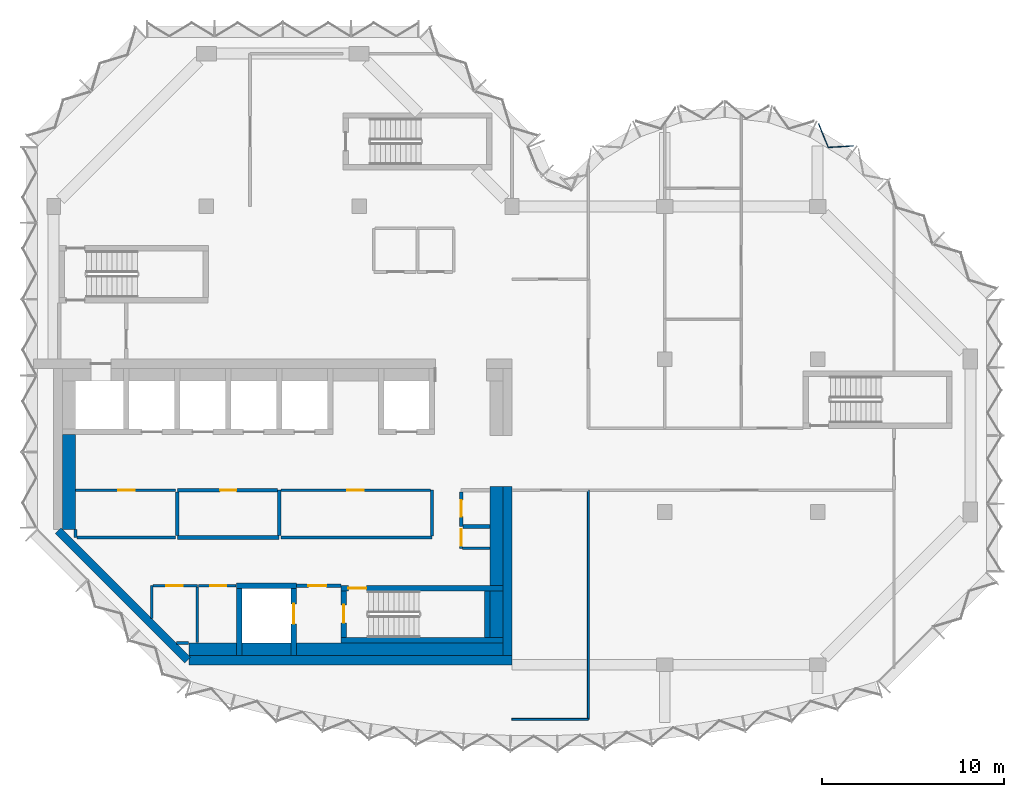
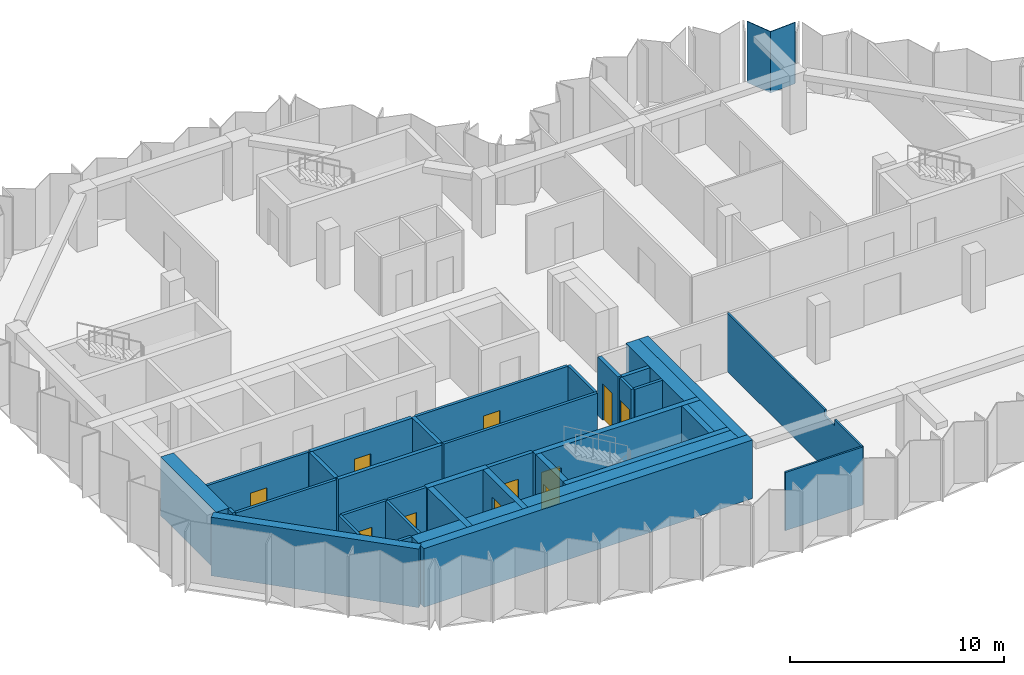
# One storey, part 4 of 9: 38 walls, 11 doors, 1 plate, 11 openings, 1 element without a shape of its own.
"""IFC4 building model written with IfcOpenShell, lengths in metres."""

from ifc_helpers import new_model, si_unit, direction, frame, frame_2d, origin, place, context, subcontext, project, spatial, polyline, rectangle, outline, extrude, material, layer, layer_set, type_object, element, fill, aggregate, save


model = new_model("IFC4")

# Units and contexts
model_context = context("Model", 3, precision=1e-05, world=origin(), true_north=direction((0.0, 1.0)))
body_context = subcontext(model_context, "Body", "Model", "MODEL_VIEW")
ifc_project = project(units=[si_unit("LENGTHUNIT", "METRE"), si_unit("AREAUNIT", "SQUARE_METRE"), si_unit("VOLUMEUNIT", "CUBIC_METRE"), si_unit("PLANEANGLEUNIT", "RADIAN"), si_unit("MASSUNIT", "GRAM", prefix="KILO")], contexts=[model_context])

# Site, building, storey
site_placement = place(None, origin())
site = spatial("IfcSite", under=ifc_project, at=site_placement, CompositionType="ELEMENT")
building_placement = place(site_placement, origin())
building = spatial("IfcBuilding", under=site, at=building_placement, Name="Brevane Broadcast Tower", CompositionType="ELEMENT")
storey_placement = place(building_placement, frame((0.0, 0.0, 244.5)))
storey = spatial("IfcBuildingStorey", under=building, at=storey_placement, Name="L62", CompositionType="ELEMENT", Elevation=244.5)

# Curtain wall, plate
ifc_material_1 = material(Name="Aluminium 6063-T6 bronze anodised", Category="aluminium")
curtain_wall_type = type_object("IfcCurtainWallType", Name="CW-1 curtain wall", PredefinedType="NOTDEFINED", material=ifc_material_1)
curtain_wall_placement = place(storey_placement, origin())
curtain_wall = element("IfcCurtainWall", 1, at=curtain_wall_placement, inside=storey, type_object=curtain_wall_type, Name="CW-1 typical tilted unit L62 east bow", PredefinedType="NOTDEFINED")
ifc_material_2 = material(Name="Laminated glass bronze-tinted", Category="glass")
ifc_layer_1 = layer(ifc_material_2, 0.0400390625)
ifc_layer_set_1 = layer_set([ifc_layer_1], Name="CW tall glass panel 40")
plate_type = type_object("IfcPlateType", Name="CW tall glass panel 40", PredefinedType="CURTAIN_PANEL", material=ifc_layer_set_1)
plate_placement = place(storey_placement, frame((0.0, 0.0, -0.14990234375)))
plate = element("IfcPlate", 2, at=plate_placement, type_object=plate_type, Name="CW-1 glass panel", PredefinedType="CURTAIN_PANEL", context=body_context, shape_type="SweptSolid", body=[
    extrude(outline(polyline([(43.950439453125, 28.5087890625), (43.9833984375, 28.551025390625), (42.601318359375, 28.462890625), (42.0703125, 29.76171875), (42.046875, 29.712890625), (42.5751953125, 28.42138671875), (43.950439453125, 28.5087890625)])), origin(), (0.0, 0.0, 1.0), 3.5),
])
aggregate(curtain_wall, [plate])

# Walls
ifc_material_3 = material(Name="Concrete C32/40", Category="concrete")
ifc_layer_2 = layer(ifc_material_3, 0.699951171875)
ifc_layer_set_2 = layer_set([ifc_layer_2], Name="Core chase wall 700 mm")
wall_type_1 = type_object("IfcWallType", Name="Core chase wall 700 mm", PredefinedType="PARTITIONING", material=ifc_layer_set_2)
wall_1_placement = place(storey_placement, frame((0.85009765625, 7.436279296875, 0.0), z_axis=(0.0, 0.0, 1.0), x_axis=(0.0, 1.0, 0.0)))
element("IfcWall", 3, at=wall_1_placement, inside=storey, type_object=wall_type_1, Name="L62 chase wall LW-1", PredefinedType="PARTITIONING", context=body_context, shape_type="SweptSolid", body=[
    extrude(rectangle(XDim=5.213623046875, YDim=0.699951171875, at=frame_2d((2.60693359375, 0.0))), origin(), (0.0, 0.0, 1.0), 3.35009765625),
])
wall_2_placement = place(storey_placement, frame((7.436279296875, 0.85009765625, 0.0), z_axis=(0.0, 0.0, 1.0), x_axis=(1.0, 0.0, 0.0)))
element("IfcWall", 4, at=wall_2_placement, inside=storey, type_object=wall_type_1, Name="L62 chase wall LS-1", PredefinedType="PARTITIONING", context=body_context, shape_type="SweptSolid", body=[
    extrude(rectangle(XDim=2.61376953125, YDim=0.699951171875, at=frame_2d((1.306884765625, 0.0))), origin(), (0.0, 0.0, 1.0), 3.35009765625),
])
wall_3_placement = place(storey_placement, frame((10.35009765625, 0.85009765625, 0.0), z_axis=(0.0, 0.0, 1.0), x_axis=(1.0, 0.0, 0.0)))
element("IfcWall", 5, at=wall_3_placement, inside=storey, type_object=wall_type_1, Name="L62 chase wall LS-2-1", PredefinedType="PARTITIONING", context=body_context, shape_type="SweptSolid", body=[
    extrude(rectangle(XDim=2.699951171875, YDim=0.699951171875, at=frame_2d((1.35009765625, 0.0))), origin(), (0.0, 0.0, 1.0), 3.35009765625),
])
wall_4_placement = place(storey_placement, frame((13.35009765625, 0.85009765625, 0.0), z_axis=(0.0, 0.0, 1.0), x_axis=(1.0, 0.0, 0.0)))
element("IfcWall", 6, at=wall_4_placement, inside=storey, type_object=wall_type_1, Name="L62 chase wall LS-2-2", PredefinedType="PARTITIONING", context=body_context, shape_type="SweptSolid", body=[
    extrude(rectangle(XDim=11.349853515625, YDim=0.699951171875, at=frame_2d((5.6748046875, 0.0))), origin(), (0.0, 0.0, 1.0), 3.35009765625),
])
wall_5_placement = place(storey_placement, frame((24.35009765625, 1.5, 0.0), z_axis=(0.0, 0.0, 1.0), x_axis=(0.0, 1.0, 0.0)))
element("IfcWall", 7, at=wall_5_placement, inside=storey, type_object=wall_type_1, Name="L62 chase wall LE1-2-1", PredefinedType="PARTITIONING", context=body_context, shape_type="SweptSolid", body=[
    extrude(rectangle(XDim=2.550048828125, YDim=0.699951171875, at=frame_2d((1.27490234375, 0.0))), origin(), (0.0, 0.0, 1.0), 3.35009765625),
])
wall_6_placement = place(storey_placement, frame((24.35009765625, 4.35009765625, 0.0), z_axis=(0.0, 0.0, 1.0), x_axis=(0.0, 1.0, 0.0)))
element("IfcWall", 8, at=wall_6_placement, inside=storey, type_object=wall_type_1, Name="L62 chase wall LE1-2-2", PredefinedType="PARTITIONING", context=body_context, shape_type="SweptSolid", body=[
    extrude(rectangle(XDim=5.449951171875, YDim=0.699951171875, at=frame_2d((2.72509765625, 0.0))), origin(), (0.0, 0.0, 1.0), 3.35009765625),
])
ifc_material_4 = material(Name="Gypsum board on steel studs", Category="steel")
ifc_layer_3 = layer(ifc_material_4, 0.14990234375)
ifc_layer_set_3 = layer_set([ifc_layer_3], Name="Core fire partition 150 mm")
wall_type_2 = type_object("IfcWallType", Name="Core fire partition 150 mm", PredefinedType="PARTITIONING", material=ifc_layer_set_3)
wall_7_placement = place(storey_placement, frame((5.39990234375, 2.553466796875, 0.0), z_axis=(0.0, 0.0, 1.0), x_axis=(0.0, 1.0, 0.0)))
element("IfcWall", 9, at=wall_7_placement, inside=storey, type_object=wall_type_2, Name="L62 partition wall P11", PredefinedType="PARTITIONING", context=body_context, shape_type="SweptSolid", body=[
    extrude(rectangle(XDim=1.796630859375, YDim=0.14990234375, at=frame_2d((0.8984375, 0.0))), origin(), (0.0, 0.0, 1.0), 3.35009765625),
])

# Wall, opening, door
wall_8_placement = place(storey_placement, frame((5.47509765625, 4.35009765625, 0.0), z_axis=(0.0, 0.0, 1.0), x_axis=(1.0, 0.0, 0.0)))
wall_8 = element("IfcWall", 10, at=wall_8_placement, inside=storey, type_object=wall_type_2, Name="L62 partition wall P12", PredefinedType="PARTITIONING", context=body_context, shape_type="SweptSolid", body=[
    extrude(rectangle(XDim=2.4248046875, YDim=0.14990234375, at=frame_2d((1.21240234375, 0.0))), origin(), (0.0, 0.0, 1.0), 3.35009765625),
])
opening_1_placement = place(wall_8_placement, frame((0.72509765625, 0.0, 0.0)))
opening_1 = element("IfcOpeningElement", 11, at=opening_1_placement, cuts=wall_8, Name="Opening L62-K14", PredefinedType="OPENING", context=body_context, shape_type="SweptSolid", body=[
    extrude(rectangle(XDim=0.89990234375, YDim=2.10009765625, at=frame_2d((0.449951171875, 1.050048828125))), frame((0.0, 0.0849609375, 0.0), z_axis=(0.0, -1.0, 0.0), x_axis=(1.0, 0.0, 0.0)), (0.0, 0.0, 1.0), 0.169921875),
])
ifc_material_5 = material(Name="Timber", Category="wood")
door_type_1 = type_object("IfcDoorType", Name="Toilet door 900 x 2100", OperationType="SINGLE_SWING_LEFT", PredefinedType="DOOR", material=ifc_material_5)
door_1_placement = place(opening_1_placement, origin())
door_1 = element("IfcDoor", 12, at=door_1_placement, inside=storey, type_object=door_type_1, Name="Door L62-K14", OperationType="SINGLE_SWING_RIGHT", OverallHeight=2.10009765625, OverallWidth=0.89990234375, PredefinedType="DOOR", context=body_context, shape_type="SweptSolid", body=[
    extrude(rectangle(XDim=0.89990234375, YDim=2.10009765625, at=frame_2d((0.449951171875, 1.050048828125))), frame((0.0, 0.02490234375, 0.0), z_axis=(0.0, -1.0, 0.0), x_axis=(1.0, 0.0, 0.0)), (0.0, 0.0, 1.0), 0.050048828125),
])
fill(opening_1, door_1)

# Walls
wall_9_placement = place(storey_placement, frame((7.89990234375, 4.27490234375, 0.0), z_axis=(0.0, 0.0, 1.0), x_axis=(0.0, -1.0, 0.0)))
element("IfcWall", 13, at=wall_9_placement, inside=storey, type_object=wall_type_2, Name="L62 partition wall P13", PredefinedType="PARTITIONING", context=body_context, shape_type="SweptSolid", body=[
    extrude(rectangle(XDim=3.06298828125, YDim=0.14990234375, at=frame_2d((1.531494140625, 0.0))), origin(), (0.0, 0.0, 1.0), 3.35009765625),
])
wall_10_placement = place(storey_placement, frame((7.42431640625, 1.199951171875, 0.0), z_axis=(0.0, 0.0, 1.0), x_axis=(-1.0, 0.0, 0.0)))
element("IfcWall", 14, at=wall_10_placement, inside=storey, type_object=wall_type_2, Name="L62 partition wall P14", PredefinedType="PARTITIONING", context=body_context, shape_type="SweptSolid", body=[
    extrude(rectangle(XDim=0.6708984375, YDim=0.14990234375, at=frame_2d((0.33544921875, 0.0))), origin(), (0.0, 0.0, 1.0), 3.35009765625),
])

# Wall, opening, door
wall_11_placement = place(storey_placement, frame((6.699951171875, 9.60009765625, 0.0), z_axis=(0.0, 0.0, 1.0), x_axis=(-1.0, 0.0, 0.0)))
wall_11 = element("IfcWall", 15, at=wall_11_placement, inside=storey, type_object=wall_type_2, Name="L62 partition wall P15", PredefinedType="PARTITIONING", context=body_context, shape_type="SweptSolid", body=[
    extrude(rectangle(XDim=5.488037109375, YDim=0.14990234375, at=frame_2d((2.744140625, 0.0))), origin(), (0.0, 0.0, 1.0), 3.35009765625),
])
opening_2_placement = place(wall_11_placement, frame((2.25, 0.0, 0.0)))
opening_2 = element("IfcOpeningElement", 16, at=opening_2_placement, cuts=wall_11, Name="Opening L62-K19", PredefinedType="OPENING", context=body_context, shape_type="SweptSolid", body=[
    extrude(rectangle(XDim=0.89990234375, YDim=2.10009765625, at=frame_2d((0.449951171875, 1.050048828125))), frame((0.0, 0.0849609375, 0.0), z_axis=(0.0, -1.0, 0.0), x_axis=(1.0, 0.0, 0.0)), (0.0, 0.0, 1.0), 0.169921875),
])
ifc_material_6 = material(Name="Steel", Category="steel")
door_type_2 = type_object("IfcDoorType", Name="Service room door 900 x 2100", OperationType="SINGLE_SWING_LEFT", PredefinedType="DOOR", material=ifc_material_6)
door_2_placement = place(opening_2_placement, origin())
door_2 = element("IfcDoor", 17, at=door_2_placement, inside=storey, type_object=door_type_2, Name="Door L62-K19", OperationType="SINGLE_SWING_LEFT", OverallHeight=2.10009765625, OverallWidth=0.89990234375, PredefinedType="DOOR", context=body_context, shape_type="SweptSolid", body=[
    extrude(rectangle(XDim=0.89990234375, YDim=2.10009765625, at=frame_2d((0.449951171875, 1.050048828125))), frame((0.0, 0.02490234375, 0.0), z_axis=(0.0, -1.0, 0.0), x_axis=(1.0, 0.0, 0.0)), (0.0, 0.0, 1.0), 0.050048828125),
])
fill(opening_2, door_2)

# Walls
wall_12_placement = place(storey_placement, frame((1.199951171875, 7.42431640625, 0.0), z_axis=(0.0, 0.0, 1.0), x_axis=(0.0, -1.0, 0.0)))
element("IfcWall", 18, at=wall_12_placement, inside=storey, type_object=wall_type_2, Name="L62 partition wall P16", PredefinedType="PARTITIONING", context=body_context, shape_type="SweptSolid", body=[
    extrude(rectangle(XDim=0.42431640625, YDim=0.14990234375, at=frame_2d((0.212158203125, 0.0))), origin(), (0.0, 0.0, 1.0), 3.35009765625),
])
wall_13_placement = place(storey_placement, frame((1.27490234375, 7.0, 0.0), z_axis=(0.0, 0.0, 1.0), x_axis=(1.0, 0.0, 0.0)))
element("IfcWall", 19, at=wall_13_placement, inside=storey, type_object=wall_type_2, Name="L62 partition wall P17", PredefinedType="PARTITIONING", context=body_context, shape_type="SweptSolid", body=[
    extrude(rectangle(XDim=5.425048828125, YDim=0.14990234375, at=frame_2d((2.71240234375, 0.0))), origin(), (0.0, 0.0, 1.0), 3.35009765625),
])

# Wall, opening, door
wall_14_placement = place(storey_placement, frame((10.0380859375, 4.35009765625, 0.0), z_axis=(0.0, 0.0, 1.0), x_axis=(-1.0, 0.0, 0.0)))
wall_14 = element("IfcWall", 20, at=wall_14_placement, inside=storey, type_object=wall_type_2, Name="L62 partition wall P18", PredefinedType="PARTITIONING", context=body_context, shape_type="SweptSolid", body=[
    extrude(rectangle(XDim=2.06298828125, YDim=0.14990234375, at=frame_2d((1.031494140625, 0.0))), origin(), (0.0, 0.0, 1.0), 3.35009765625),
])
opening_3_placement = place(wall_14_placement, frame((0.5380859375, 0.0, 0.0)))
opening_3 = element("IfcOpeningElement", 21, at=opening_3_placement, cuts=wall_14, Name="Opening L62-K15", PredefinedType="OPENING", context=body_context, shape_type="SweptSolid", body=[
    extrude(rectangle(XDim=0.89990234375, YDim=2.10009765625, at=frame_2d((0.449951171875, 1.050048828125))), frame((0.0, 0.0849609375, 0.0), z_axis=(0.0, -1.0, 0.0), x_axis=(1.0, 0.0, 0.0)), (0.0, 0.0, 1.0), 0.169921875),
])
door_3_placement = place(opening_3_placement, origin())
door_3 = element("IfcDoor", 22, at=door_3_placement, inside=storey, type_object=door_type_1, Name="Door L62-K15", OperationType="SINGLE_SWING_LEFT", OverallHeight=2.10009765625, OverallWidth=0.89990234375, PredefinedType="DOOR", context=body_context, shape_type="SweptSolid", body=[
    extrude(rectangle(XDim=0.89990234375, YDim=2.10009765625, at=frame_2d((0.449951171875, 1.050048828125))), frame((0.0, 0.02490234375, 0.0), z_axis=(0.0, -1.0, 0.0), x_axis=(1.0, 0.0, 0.0)), (0.0, 0.0, 1.0), 0.050048828125),
])
fill(opening_3, door_3)

# Walls
wall_15_placement = place(storey_placement, frame((12.5, 7.0, 0.0), z_axis=(0.0, 0.0, 1.0), x_axis=(1.0, 0.0, 0.0)))
element("IfcWall", 23, at=wall_15_placement, inside=storey, type_object=wall_type_2, Name="L62 partition wall P19", PredefinedType="PARTITIONING", context=body_context, shape_type="SweptSolid", body=[
    extrude(rectangle(XDim=8.300048828125, YDim=0.14990234375, at=frame_2d((4.14990234375, 0.0))), origin(), (0.0, 0.0, 1.0), 3.35009765625),
])
wall_16_placement = place(storey_placement, frame((20.800048828125, 7.074951171875, 0.0), z_axis=(0.0, 0.0, 1.0), x_axis=(0.0, 1.0, 0.0)))
element("IfcWall", 24, at=wall_16_placement, inside=storey, type_object=wall_type_2, Name="L62 partition wall P20", PredefinedType="PARTITIONING", context=body_context, shape_type="SweptSolid", body=[
    extrude(rectangle(XDim=2.525146484375, YDim=0.14990234375, at=frame_2d((1.2626953125, 0.0))), origin(), (0.0, 0.0, 1.0), 3.35009765625),
])

# Wall, opening, door
wall_17_placement = place(storey_placement, frame((20.72509765625, 9.60009765625, 0.0), z_axis=(0.0, 0.0, 1.0), x_axis=(-1.0, 0.0, 0.0)))
wall_17 = element("IfcWall", 25, at=wall_17_placement, inside=storey, type_object=wall_type_2, Name="L62 partition wall P21", PredefinedType="PARTITIONING", context=body_context, shape_type="SweptSolid", body=[
    extrude(rectangle(XDim=8.22509765625, YDim=0.14990234375, at=frame_2d((4.112548828125, 0.0))), origin(), (0.0, 0.0, 1.0), 3.35009765625),
])
opening_4_placement = place(wall_17_placement, frame((3.675048828125, 0.0, 0.0)))
opening_4 = element("IfcOpeningElement", 26, at=opening_4_placement, cuts=wall_17, Name="Opening L62-K21", PredefinedType="OPENING", context=body_context, shape_type="SweptSolid", body=[
    extrude(rectangle(XDim=0.89990234375, YDim=2.10009765625, at=frame_2d((0.449951171875, 1.050048828125))), frame((0.0, 0.0849609375, 0.0), z_axis=(0.0, -1.0, 0.0), x_axis=(1.0, 0.0, 0.0)), (0.0, 0.0, 1.0), 0.169921875),
])
door_4_placement = place(opening_4_placement, origin())
door_4 = element("IfcDoor", 27, at=door_4_placement, inside=storey, type_object=door_type_2, Name="Door L62-K21", OperationType="SINGLE_SWING_LEFT", OverallHeight=2.10009765625, OverallWidth=0.89990234375, PredefinedType="DOOR", context=body_context, shape_type="SweptSolid", body=[
    extrude(rectangle(XDim=0.89990234375, YDim=2.10009765625, at=frame_2d((0.449951171875, 1.050048828125))), frame((0.0, 0.02490234375, 0.0), z_axis=(0.0, -1.0, 0.0), x_axis=(1.0, 0.0, 0.0)), (0.0, 0.0, 1.0), 0.050048828125),
])
fill(opening_4, door_4)

wall_18_placement = place(storey_placement, frame((22.39990234375, 7.5, 0.0), z_axis=(0.0, 0.0, 1.0), x_axis=(0.0, -1.0, 0.0)))
wall_18 = element("IfcWall", 28, at=wall_18_placement, inside=storey, type_object=wall_type_2, Name="L62 partition wall P29", PredefinedType="PARTITIONING", context=body_context, shape_type="SweptSolid", body=[
    extrude(rectangle(XDim=1.10009765625, YDim=0.14990234375, at=frame_2d((0.550048828125, 0.0))), origin(), (0.0, 0.0, 1.0), 3.35009765625),
])
opening_5_placement = place(wall_18_placement, frame((0.050048828125, 0.0, 0.0)))
opening_5 = element("IfcOpeningElement", 29, at=opening_5_placement, cuts=wall_18, Name="Opening L62-K17", PredefinedType="OPENING", context=body_context, shape_type="SweptSolid", body=[
    extrude(rectangle(XDim=0.89990234375, YDim=2.10009765625, at=frame_2d((0.449951171875, 1.050048828125))), frame((0.0, 0.0849609375, 0.0), z_axis=(0.0, -1.0, 0.0), x_axis=(1.0, 0.0, 0.0)), (0.0, 0.0, 1.0), 0.169921875),
])
door_5_placement = place(opening_5_placement, origin())
door_5 = element("IfcDoor", 30, at=door_5_placement, inside=storey, type_object=door_type_2, Name="Door L62-K17", OperationType="SINGLE_SWING_LEFT", OverallHeight=2.10009765625, OverallWidth=0.89990234375, PredefinedType="DOOR", context=body_context, shape_type="SweptSolid", body=[
    extrude(rectangle(XDim=0.89990234375, YDim=2.10009765625, at=frame_2d((0.449951171875, 1.050048828125))), frame((0.0, 0.02490234375, 0.0), z_axis=(0.0, -1.0, 0.0), x_axis=(1.0, 0.0, 0.0)), (0.0, 0.0, 1.0), 0.050048828125),
])
fill(opening_5, door_5)

# Wall
wall_19_placement = place(storey_placement, frame((22.47509765625, 6.39990234375, 0.0), z_axis=(0.0, 0.0, 1.0), x_axis=(1.0, 0.0, 0.0)))
element("IfcWall", 31, at=wall_19_placement, inside=storey, type_object=wall_type_2, Name="L62 partition wall P30", PredefinedType="PARTITIONING", context=body_context, shape_type="SweptSolid", body=[
    extrude(rectangle(XDim=1.512939453125, YDim=0.14990234375, at=frame_2d((0.75634765625, 0.0))), origin(), (0.0, 0.0, 1.0), 3.35009765625),
])

# Wall, opening, door
ifc_layer_4 = layer(ifc_material_4, 0.199951171875)
ifc_layer_set_4 = layer_set([ifc_layer_4], Name="Core fire partition 200 mm")
wall_type_3 = type_object("IfcWallType", Name="Core fire partition 200 mm", PredefinedType="PARTITIONING", material=ifc_layer_set_4)
wall_20_placement = place(storey_placement, frame((13.362060546875, 4.35009765625, 0.0), z_axis=(0.0, 0.0, 1.0), x_axis=(1.0, 0.0, 0.0)))
wall_20 = element("IfcWall", 32, at=wall_20_placement, inside=storey, type_object=wall_type_3, Name="L62 partition wall P03", PredefinedType="PARTITIONING", context=body_context, shape_type="SweptSolid", body=[
    extrude(rectangle(XDim=2.426025390625, YDim=0.199951171875, at=frame_2d((1.212890625, 0.0))), origin(), (0.0, 0.0, 1.0), 3.35009765625),
])
opening_6_placement = place(wall_20_placement, frame((0.637939453125, 0.0, 0.0)))
opening_6 = element("IfcOpeningElement", 33, at=opening_6_placement, cuts=wall_20, Name="Opening L62-K16", PredefinedType="OPENING", context=body_context, shape_type="SweptSolid", body=[
    extrude(rectangle(XDim=1.0, YDim=2.10009765625, at=frame_2d((0.5, 1.050048828125))), frame((0.0, 0.10986328125, 0.0), z_axis=(0.0, -1.0, 0.0), x_axis=(1.0, 0.0, 0.0)), (0.0, 0.0, 1.0), 0.219970703125),
])
door_type_3 = type_object("IfcDoorType", Name="Stair door 1000 x 2100", OperationType="SINGLE_SWING_LEFT", PredefinedType="DOOR", material=ifc_material_6)
door_6_placement = place(opening_6_placement, origin())
door_6 = element("IfcDoor", 34, at=door_6_placement, inside=storey, type_object=door_type_3, Name="Door L62-K16", OperationType="SINGLE_SWING_RIGHT", OverallHeight=2.10009765625, OverallWidth=1.0, PredefinedType="DOOR", context=body_context, shape_type="SweptSolid", body=[
    extrude(rectangle(XDim=1.0, YDim=2.10009765625, at=frame_2d((0.5, 1.050048828125))), frame((0.0, 0.02490234375, 0.0), z_axis=(0.0, -1.0, 0.0), x_axis=(1.0, 0.0, 0.0)), (0.0, 0.0, 1.0), 0.050048828125),
])
fill(opening_6, door_6)

wall_21_placement = place(storey_placement, frame((22.39990234375, 9.5, 0.0), z_axis=(0.0, 0.0, 1.0), x_axis=(0.0, -1.0, 0.0)))
wall_21 = element("IfcWall", 35, at=wall_21_placement, inside=storey, type_object=wall_type_3, Name="L62 partition wall P05", PredefinedType="PARTITIONING", context=body_context, shape_type="SweptSolid", body=[
    extrude(rectangle(XDim=1.89990234375, YDim=0.199951171875, at=frame_2d((0.949951171875, 0.0))), origin(), (0.0, 0.0, 1.0), 3.35009765625),
])
opening_7_placement = place(wall_21_placement, frame((0.449951171875, 0.0, 0.0)))
opening_7 = element("IfcOpeningElement", 36, at=opening_7_placement, cuts=wall_21, Name="Opening L62-K18", PredefinedType="OPENING", context=body_context, shape_type="SweptSolid", body=[
    extrude(rectangle(XDim=0.89990234375, YDim=2.10009765625, at=frame_2d((0.449951171875, 1.050048828125))), frame((0.0, 0.10986328125, 0.0), z_axis=(0.0, -1.0, 0.0), x_axis=(1.0, 0.0, 0.0)), (0.0, 0.0, 1.0), 0.219970703125),
])
door_7_placement = place(opening_7_placement, origin())
door_7 = element("IfcDoor", 37, at=door_7_placement, inside=storey, type_object=door_type_2, Name="Door L62-K18", OperationType="SINGLE_SWING_RIGHT", OverallHeight=2.10009765625, OverallWidth=0.89990234375, PredefinedType="DOOR", context=body_context, shape_type="SweptSolid", body=[
    extrude(rectangle(XDim=0.89990234375, YDim=2.10009765625, at=frame_2d((0.449951171875, 1.050048828125))), frame((0.0, 0.02490234375, 0.0), z_axis=(0.0, -1.0, 0.0), x_axis=(1.0, 0.0, 0.0)), (0.0, 0.0, 1.0), 0.050048828125),
])
fill(opening_7, door_7)

# Walls
wall_22_placement = place(storey_placement, frame((22.5, 7.60009765625, 0.0), z_axis=(0.0, 0.0, 1.0), x_axis=(1.0, 0.0, 0.0)))
element("IfcWall", 38, at=wall_22_placement, inside=storey, type_object=wall_type_3, Name="L62 partition wall P06", PredefinedType="PARTITIONING", context=body_context, shape_type="SweptSolid", body=[
    extrude(rectangle(XDim=1.488037109375, YDim=0.199951171875, at=frame_2d((0.744140625, 0.0))), origin(), (0.0, 0.0, 1.0), 3.35009765625),
])
wall_23_placement = place(storey_placement, frame((6.800048828125, 7.0, 0.0), z_axis=(0.0, 0.0, 1.0), x_axis=(1.0, 0.0, 0.0)))
element("IfcWall", 39, at=wall_23_placement, inside=storey, type_object=wall_type_3, Name="L62 partition wall P07", PredefinedType="PARTITIONING", context=body_context, shape_type="SweptSolid", body=[
    extrude(rectangle(XDim=5.599853515625, YDim=0.199951171875, at=frame_2d((2.7998046875, 0.0))), origin(), (0.0, 0.0, 1.0), 3.35009765625),
])
wall_24_placement = place(storey_placement, frame((12.39990234375, 7.10009765625, 0.0), z_axis=(0.0, 0.0, 1.0), x_axis=(0.0, 1.0, 0.0)))
element("IfcWall", 40, at=wall_24_placement, inside=storey, type_object=wall_type_3, Name="L62 partition wall P08", PredefinedType="PARTITIONING", context=body_context, shape_type="SweptSolid", body=[
    extrude(rectangle(XDim=2.5, YDim=0.199951171875, at=frame_2d((1.25, 0.0))), origin(), (0.0, 0.0, 1.0), 3.35009765625),
])

# Wall, opening, door
wall_25_placement = place(storey_placement, frame((12.300048828125, 9.60009765625, 0.0), z_axis=(0.0, 0.0, 1.0), x_axis=(-1.0, 0.0, 0.0)))
wall_25 = element("IfcWall", 41, at=wall_25_placement, inside=storey, type_object=wall_type_3, Name="L62 partition wall P09", PredefinedType="PARTITIONING", context=body_context, shape_type="SweptSolid", body=[
    extrude(rectangle(XDim=5.5, YDim=0.199951171875, at=frame_2d((2.75, 0.0))), origin(), (0.0, 0.0, 1.0), 3.35009765625),
])
opening_8_placement = place(wall_25_placement, frame((2.25, 0.0, 0.0)))
opening_8 = element("IfcOpeningElement", 42, at=opening_8_placement, cuts=wall_25, Name="Opening L62-K20", PredefinedType="OPENING", context=body_context, shape_type="SweptSolid", body=[
    extrude(rectangle(XDim=0.89990234375, YDim=2.10009765625, at=frame_2d((0.449951171875, 1.050048828125))), frame((0.0, 0.10986328125, 0.0), z_axis=(0.0, -1.0, 0.0), x_axis=(1.0, 0.0, 0.0)), (0.0, 0.0, 1.0), 0.219970703125),
])
door_8_placement = place(opening_8_placement, origin())
door_8 = element("IfcDoor", 43, at=door_8_placement, inside=storey, type_object=door_type_2, Name="Door L62-K20", OperationType="SINGLE_SWING_RIGHT", OverallHeight=2.10009765625, OverallWidth=0.89990234375, PredefinedType="DOOR", context=body_context, shape_type="SweptSolid", body=[
    extrude(rectangle(XDim=0.89990234375, YDim=2.10009765625, at=frame_2d((0.449951171875, 1.050048828125))), frame((0.0, 0.02490234375, 0.0), z_axis=(0.0, -1.0, 0.0), x_axis=(1.0, 0.0, 0.0)), (0.0, 0.0, 1.0), 0.050048828125),
])
fill(opening_8, door_8)

# Walls
wall_26_placement = place(storey_placement, frame((6.800048828125, 9.5, 0.0), z_axis=(0.0, 0.0, 1.0), x_axis=(0.0, -1.0, 0.0)))
element("IfcWall", 44, at=wall_26_placement, inside=storey, type_object=wall_type_3, Name="L62 partition wall P10", PredefinedType="PARTITIONING", context=body_context, shape_type="SweptSolid", body=[
    extrude(rectangle(XDim=2.39990234375, YDim=0.199951171875, at=frame_2d((1.199951171875, 0.0))), origin(), (0.0, 0.0, 1.0), 3.35009765625),
])
ifc_material_7 = material(Name="Concrete C50/60", Category="concrete")
ifc_layer_5 = layer(ifc_material_7, 0.300048828125)
ifc_layer_set_5 = layer_set([ifc_layer_5], Name="Core wall 300 mm C50/60")
wall_type_4 = type_object("IfcWallType", Name="Core wall 300 mm C50/60", PredefinedType="SHEAR", material=ifc_layer_set_5)
wall_27_placement = place(storey_placement, frame((10.199951171875, 0.5, 0.0), z_axis=(0.0, 0.0, 1.0), x_axis=(0.0, 1.0, 0.0)))
element("IfcWall", 45, at=wall_27_placement, inside=storey, type_object=wall_type_4, Name="L62 shaft wall FF2-W", PredefinedType="SHEAR", context=body_context, shape_type="SweptSolid", body=[
    extrude(rectangle(XDim=3.699951171875, YDim=0.300048828125, at=frame_2d((1.85009765625, 0.0))), origin(), (0.0, 0.0, 1.0), 3.35009765625),
])

# Wall, opening, door
wall_28_placement = place(storey_placement, frame((13.199951171875, 0.5, 0.0), z_axis=(0.0, 0.0, 1.0), x_axis=(0.0, 1.0, 0.0)))
wall_28 = element("IfcWall", 46, at=wall_28_placement, inside=storey, type_object=wall_type_4, Name="L62 shaft wall FF2-E", PredefinedType="SHEAR", context=body_context, shape_type="SweptSolid", body=[
    extrude(rectangle(XDim=3.699951171875, YDim=0.300048828125, at=frame_2d((1.85009765625, 0.0))), origin(), (0.0, 0.0, 1.0), 3.35009765625),
])
opening_9_placement = place(wall_28_placement, frame((1.75, 0.0, 0.0)))
opening_9 = element("IfcOpeningElement", 47, at=opening_9_placement, cuts=wall_28, Name="Opening LD", PredefinedType="OPENING", context=body_context, shape_type="SweptSolid", body=[
    extrude(rectangle(XDim=1.10009765625, YDim=2.300048828125, at=frame_2d((0.550048828125, 1.14990234375))), frame((0.0, 0.159912109375, 0.0), z_axis=(0.0, -1.0, 0.0), x_axis=(1.0, 0.0, 0.0)), (0.0, 0.0, 1.0), 0.320068359375),
])
ifc_material_8 = material(Name="Stainless steel", Category="steel")
door_type_4 = type_object("IfcDoorType", Name="Lift landing door", OperationType="SLIDING_TO_LEFT", PredefinedType="DOOR", material=ifc_material_8)
door_9_placement = place(opening_9_placement, origin())
door_9 = element("IfcDoor", 48, at=door_9_placement, inside=storey, type_object=door_type_4, Name="Landing door FF2 L62", OperationType="SLIDING_TO_LEFT", OverallHeight=2.300048828125, OverallWidth=1.10009765625, PredefinedType="DOOR", context=body_context, shape_type="SweptSolid", body=[
    extrude(rectangle(XDim=1.10009765625, YDim=2.300048828125, at=frame_2d((0.550048828125, 1.14990234375))), frame((0.0, 0.02490234375, 0.0), z_axis=(0.0, -1.0, 0.0), x_axis=(1.0, 0.0, 0.0)), (0.0, 0.0, 1.0), 0.050048828125),
])
fill(opening_9, door_9)

# Walls
wall_29_placement = place(storey_placement, frame((10.050048828125, 4.35009765625, 0.0), z_axis=(0.0, 0.0, 1.0), x_axis=(1.0, 0.0, 0.0)))
element("IfcWall", 49, at=wall_29_placement, inside=storey, type_object=wall_type_4, Name="L62 shaft wall FF2-N", PredefinedType="SHEAR", context=body_context, shape_type="SweptSolid", body=[
    extrude(rectangle(XDim=3.300048828125, YDim=0.300048828125, at=frame_2d((1.64990234375, 0.0))), origin(), (0.0, 0.0, 1.0), 3.35009765625),
])
wall_30_placement = place(storey_placement, frame((15.800048828125, 1.35009765625, 0.0), z_axis=(0.0, 0.0, 1.0), x_axis=(1.0, 0.0, 0.0)))
element("IfcWall", 50, at=wall_30_placement, inside=storey, type_object=wall_type_4, Name="L62 stair wall ST-2-S", PredefinedType="SHEAR", context=body_context, shape_type="SweptSolid", body=[
    extrude(rectangle(XDim=8.89990234375, YDim=0.300048828125, at=frame_2d((4.449951171875, 0.0))), origin(), (0.0, 0.0, 1.0), 3.35009765625),
])

# Wall, opening, door
wall_31_placement = place(storey_placement, frame((15.800048828125, 4.199951171875, 0.0), z_axis=(0.0, 0.0, 1.0), x_axis=(1.0, 0.0, 0.0)))
wall_31 = element("IfcWall", 51, at=wall_31_placement, inside=storey, type_object=wall_type_4, Name="L62 stair wall ST-2-N", PredefinedType="SHEAR", context=body_context, shape_type="SweptSolid", body=[
    extrude(rectangle(XDim=8.89990234375, YDim=0.300048828125, at=frame_2d((4.449951171875, 0.0))), origin(), (0.0, 0.0, 1.0), 3.35009765625),
])
opening_10_placement = place(wall_31_placement, frame((0.39990234375, 0.0, 0.0)))
opening_10 = element("IfcOpeningElement", 52, at=opening_10_placement, cuts=wall_31, Name="Opening L62-K11", PredefinedType="OPENING", context=body_context, shape_type="SweptSolid", body=[
    extrude(rectangle(XDim=1.0, YDim=2.10009765625, at=frame_2d((0.5, 1.050048828125))), frame((0.0, 0.159912109375, 0.0), z_axis=(0.0, -1.0, 0.0), x_axis=(1.0, 0.0, 0.0)), (0.0, 0.0, 1.0), 0.320068359375),
])
door_10_placement = place(opening_10_placement, origin())
door_10 = element("IfcDoor", 53, at=door_10_placement, inside=storey, type_object=door_type_3, Name="Door L62-K11", OperationType="SINGLE_SWING_LEFT", OverallHeight=2.10009765625, OverallWidth=1.0, PredefinedType="DOOR", context=body_context, shape_type="SweptSolid", body=[
    extrude(rectangle(XDim=1.0, YDim=2.10009765625, at=frame_2d((0.5, 1.050048828125))), frame((0.0, 0.02490234375, 0.0), z_axis=(0.0, -1.0, 0.0), x_axis=(1.0, 0.0, 0.0)), (0.0, 0.0, 1.0), 0.050048828125),
])
fill(opening_10, door_10)

wall_32_placement = place(storey_placement, frame((15.949951171875, 1.5, 0.0), z_axis=(0.0, 0.0, 1.0), x_axis=(0.0, 1.0, 0.0)))
wall_32 = element("IfcWall", 54, at=wall_32_placement, inside=storey, type_object=wall_type_4, Name="L62 stair wall ST-2-W", PredefinedType="SHEAR", context=body_context, shape_type="SweptSolid", body=[
    extrude(rectangle(XDim=2.550048828125, YDim=0.300048828125, at=frame_2d((1.27490234375, 0.0))), origin(), (0.0, 0.0, 1.0), 3.35009765625),
])
opening_11_placement = place(wall_32_placement, frame((0.800048828125, 0.0, 0.0)))
opening_11 = element("IfcOpeningElement", 55, at=opening_11_placement, cuts=wall_32, Name="Opening L62-K10", PredefinedType="OPENING", context=body_context, shape_type="SweptSolid", body=[
    extrude(rectangle(XDim=1.0, YDim=2.10009765625, at=frame_2d((0.5, 1.050048828125))), frame((0.0, 0.159912109375, 0.0), z_axis=(0.0, -1.0, 0.0), x_axis=(1.0, 0.0, 0.0)), (0.0, 0.0, 1.0), 0.320068359375),
])
door_11_placement = place(opening_11_placement, origin())
door_11 = element("IfcDoor", 56, at=door_11_placement, inside=storey, type_object=door_type_3, Name="Door L62-K10", OperationType="SINGLE_SWING_RIGHT", OverallHeight=2.10009765625, OverallWidth=1.0, PredefinedType="DOOR", context=body_context, shape_type="SweptSolid", body=[
    extrude(rectangle(XDim=1.0, YDim=2.10009765625, at=frame_2d((0.5, 1.050048828125))), frame((0.0, 0.02490234375, 0.0), z_axis=(0.0, -1.0, 0.0), x_axis=(1.0, 0.0, 0.0)), (0.0, 0.0, 1.0), 0.050048828125),
])
fill(opening_11, door_11)

# Walls
wall_33_placement = place(storey_placement, frame((23.85009765625, 1.5, 0.0), z_axis=(0.0, 0.0, 1.0), x_axis=(0.0, 1.0, 0.0)))
element("IfcWall", 57, at=wall_33_placement, inside=storey, type_object=wall_type_4, Name="L62 stair wall ST-2-E", PredefinedType="SHEAR", context=body_context, shape_type="SweptSolid", body=[
    extrude(rectangle(XDim=2.550048828125, YDim=0.300048828125, at=frame_2d((1.27490234375, 0.0))), origin(), (0.0, 0.0, 1.0), 3.35009765625),
])
ifc_layer_6 = layer(ifc_material_7, 0.449951171875)
ifc_layer_set_6 = layer_set([ifc_layer_6], Name="Core wall 450 mm C50/60")
wall_type_5 = type_object("IfcWallType", Name="Core wall 450 mm C50/60", PredefinedType="SHEAR", material=ifc_layer_set_6)
wall_34_placement = place(storey_placement, frame((0.25, 7.3681640625, 0.0), z_axis=(0.0, 0.0, 1.0), x_axis=(0.707106781187, -0.707106781187, 0.0)))
element("IfcWall", 58, at=wall_34_placement, inside=storey, type_object=wall_type_5, Name="L62 outer wall WC", PredefinedType="SHEAR", context=body_context, shape_type="SweptSolid", body=[
    extrude(rectangle(XDim=10.066650390625, YDim=0.449951171875, at=frame_2d((5.033203125, 0.0))), origin(), (0.0, 0.0, 1.0), 3.35009765625),
])
ifc_layer_7 = layer(ifc_material_7, 0.5)
ifc_layer_set_7 = layer_set([ifc_layer_7], Name="Core wall 500 mm C50/60")
wall_type_6 = type_object("IfcWallType", Name="Core wall 500 mm C50/60", PredefinedType="SHEAR", material=ifc_layer_set_7)
wall_35_placement = place(storey_placement, frame((7.436279296875, 0.25, 0.0), z_axis=(0.0, 0.0, 1.0), x_axis=(1.0, 0.0, 0.0)))
element("IfcWall", 59, at=wall_35_placement, inside=storey, type_object=wall_type_6, Name="L62 outer wall WS", PredefinedType="SHEAR", context=body_context, shape_type="SweptSolid", body=[
    extrude(rectangle(XDim=17.763671875, YDim=0.5, at=frame_2d((8.8818359375, 0.0))), origin(), (0.0, 0.0, 1.0), 3.35009765625),
])
wall_36_placement = place(storey_placement, frame((24.949951171875, 0.5, 0.0), z_axis=(0.0, 0.0, 1.0), x_axis=(0.0, 1.0, 0.0)))
element("IfcWall", 60, at=wall_36_placement, inside=storey, type_object=wall_type_6, Name="L62 outer wall WE1", PredefinedType="SHEAR", context=body_context, shape_type="SweptSolid", body=[
    extrude(rectangle(XDim=9.300048828125, YDim=0.5, at=frame_2d((4.64990234375, 0.0))), origin(), (0.0, 0.0, 1.0), 3.35009765625),
])
ifc_material_9 = material(Name="Gypsum board partition")
ifc_layer_8 = layer(ifc_material_9, 0.10009765625)
ifc_layer_set_8 = layer_set([ifc_layer_8], Name="PARTITION 100 STUD")
wall_type_7 = type_object("IfcWallType", Name="PARTITION 100 STUD", PredefinedType="PARTITIONING", material=ifc_layer_set_8)
wall_37_placement = place(storey_placement, frame((29.39990234375, 9.60009765625, 0.0), z_axis=(0.0, 0.0, 1.0), x_axis=(0.0, -1.0, 0.0)))
element("IfcWall", 61, at=wall_37_placement, inside=storey, type_object=wall_type_7, Name="Partition G19-013", PredefinedType="PARTITIONING", context=body_context, shape_type="SweptSolid", body=[
    extrude(outline(polyline([(0.0, 0.0), (12.60009765625, 0.0), (12.60009765625, 3.330078125), (10.050048828125, 3.330078125), (10.048095703125, 2.97998046875), (9.152099609375, 2.97998046875), (9.14990234375, 3.330078125), (0.0, 3.330078125), (0.0, 0.0)])), frame((0.0, 0.050048828125, 0.0), z_axis=(0.0, -1.0, 0.0), x_axis=(1.0, 0.0, 0.0)), (0.0, 0.0, 1.0), 0.10009765625),
])
wall_38_placement = place(storey_placement, frame((29.39990234375, -3.0, 0.0), z_axis=(0.0, 0.0, 1.0), x_axis=(-1.0, 0.0, 0.0)))
element("IfcWall", 62, at=wall_38_placement, inside=storey, type_object=wall_type_7, Name="Partition G19-014", PredefinedType="PARTITIONING", context=body_context, shape_type="SweptSolid", body=[
    extrude(rectangle(XDim=4.199951171875, YDim=0.10009765625, at=frame_2d((2.10009765625, 0.0))), origin(), (0.0, 0.0, 1.0), 3.330078125),
])

save(model, "model.ifc")
